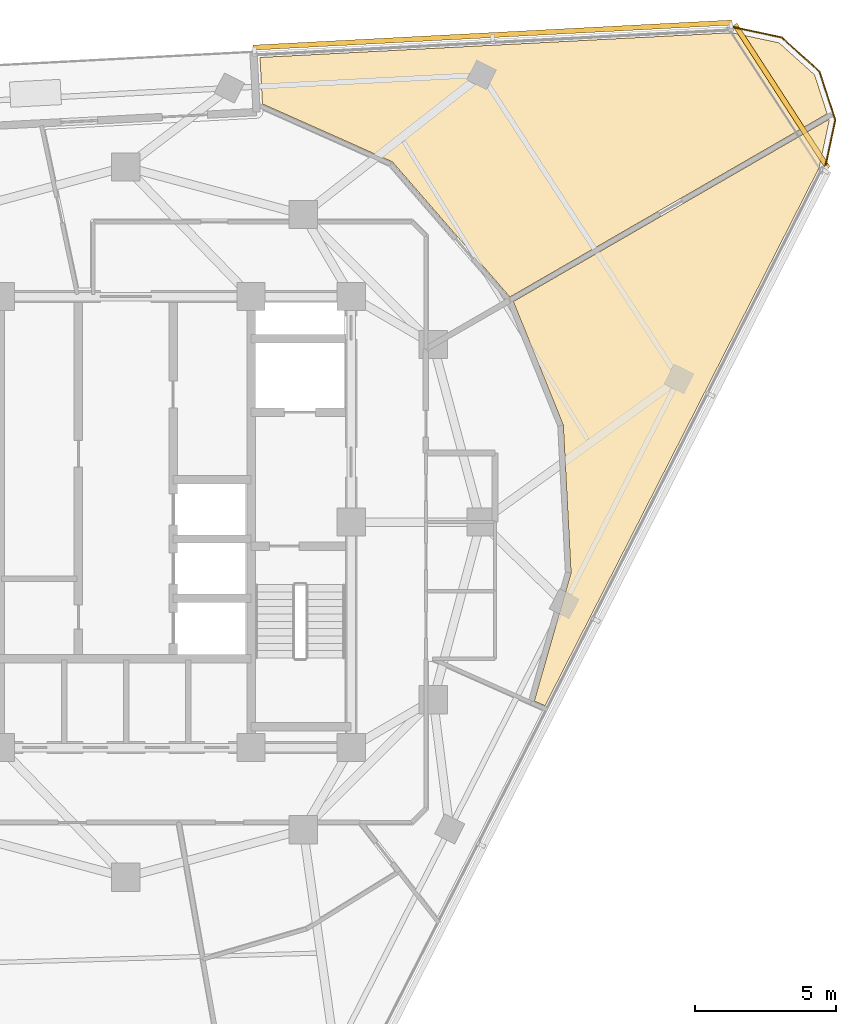
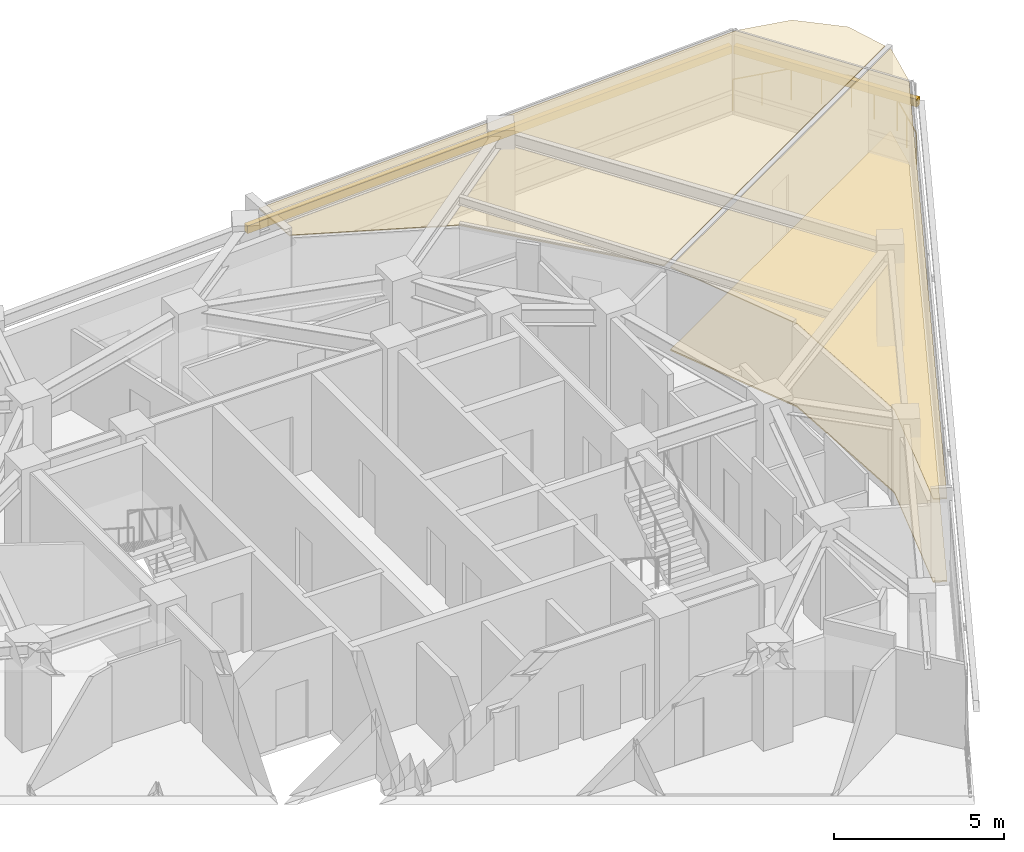
# One storey, part 15 of 15: 3 coverings, 2 shading devices, 1 railing.
"""IFC4 building model written with IfcOpenShell, lengths in metres."""

from ifc_helpers import new_model, si_unit, direction, frame, origin, origin_2d, place, context, subcontext, project, spatial, polyline, rectangle, circle, outline, extrude, material, layer, layer_set, type_object, element, save


model = new_model("IFC4")

# Units and contexts
model_context = context("Model", 3, precision=1e-05, world=origin(), true_north=direction((0.0, 1.0)))
body_context = subcontext(model_context, "Body", "Model", "MODEL_VIEW")
ifc_project = project(units=[si_unit("LENGTHUNIT", "METRE"), si_unit("AREAUNIT", "SQUARE_METRE"), si_unit("VOLUMEUNIT", "CUBIC_METRE"), si_unit("PLANEANGLEUNIT", "RADIAN"), si_unit("MASSUNIT", "GRAM", prefix="KILO")], contexts=[model_context])

# Site, building, storey
site_placement = place(None, origin())
site = spatial("IfcSite", under=ifc_project, at=site_placement, CompositionType="ELEMENT")
building_placement = place(site_placement, origin())
building = spatial("IfcBuilding", under=site, at=building_placement, Name="Terralouvre Media Tower", CompositionType="ELEMENT")
storey_placement = place(building_placement, frame((0.0, 0.0, 270.699951171875)))
storey = spatial("IfcBuildingStorey", under=building, at=storey_placement, Name="L70", CompositionType="ELEMENT", Elevation=270.699951171875)

# Coverings
ifc_material_1 = material(Name="Resilient elastomer acoustic broadcast studio flooring")
ifc_layer_1 = layer(ifc_material_1, 0.050048828125, Name="Broadcast Studio Acoustic Floating Floor FL-AC1")
ifc_layer_set_1 = layer_set([ifc_layer_1], Name="Resilient elastomer acoustic broadcast studio flooring")
covering_type_1 = type_object("IfcCoveringType", Name="Broadcast Studio Acoustic Floating Floor FL-AC1", PredefinedType="FLOORING", material=ifc_layer_set_1)
covering_1_placement = place(storey_placement, frame((0.0, 0.0, 0.0), z_axis=(0.0, 0.0, 1.0), x_axis=(0.45399049974, 0.891006524188, 0.0)))
element("IfcCovering", 1, at=covering_1_placement, inside=storey, type_object=covering_type_1, Name="L70 Preview Screening Cinema 7 Acoustic Floating Floor", PredefinedType="FLOORING", context=body_context, shape_type="SweptSolid", body=[
    extrude(outline(polyline([(10.12548828125, -12.256591796875), (10.117919921875, -12.2646484375), (10.109375, -12.271728515625), (10.10009765625, -12.27783203125), (5.582763671875, -14.8857421875), (5.57275390625, -14.890869140625), (5.5625, -14.894775390625), (5.5517578125, -14.8974609375), (0.927734375, -15.796630859375), (0.949951171875, -16.212646484375), (22.371337890625, -16.212646484375), (24.036376953125, -15.766845703125), (24.0595703125, -15.743408203125), (13.2158203125, -8.701904296875), (10.12548828125, -12.256591796875)])), origin(), (0.0, 0.0, 1.0), 0.050048828125),
])
ifc_material_2 = material(Name="Perforated aluminium acoustic ceiling baffle", Category="aluminium")
ifc_layer_2 = layer(ifc_material_2, 0.0400390625, Name="Perforated Acoustic Metal Tile Ceiling CL-AC1")
ifc_layer_set_2 = layer_set([ifc_layer_2], Name="Perforated aluminium acoustic ceiling baffle")
covering_type_2 = type_object("IfcCoveringType", Name="Perforated Acoustic Metal Tile Ceiling CL-AC1", PredefinedType="CEILING", material=ifc_layer_set_2)
covering_2_placement = place(storey_placement, frame((0.0, 0.0, 2.97998046875), z_axis=(0.0, 0.0, 1.0), x_axis=(0.45399049974, 0.891006524188, 0.0)))
element("IfcCovering", 2, at=covering_2_placement, inside=storey, type_object=covering_type_2, Name="L70 Preview Screening Cinema 7 Acoustic Ceiling", PredefinedType="CEILING", context=body_context, shape_type="SweptSolid", body=[
    extrude(outline(polyline([(10.12548828125, -12.256591796875), (10.117919921875, -12.2646484375), (10.109375, -12.271728515625), (10.10009765625, -12.27783203125), (5.582763671875, -14.8857421875), (5.57275390625, -14.890869140625), (5.5625, -14.894775390625), (5.5517578125, -14.8974609375), (0.927734375, -15.796630859375), (0.949951171875, -16.212646484375), (22.371337890625, -16.212646484375), (24.036376953125, -15.766845703125), (24.0595703125, -15.743408203125), (13.2158203125, -8.701904296875), (10.12548828125, -12.256591796875)])), origin(), (0.0, 0.0, 1.0), 0.0400390625),
])
covering_3_placement = place(storey_placement, frame((0.0, 0.0, 2.97998046875), z_axis=(0.0, 0.0, 1.0), x_axis=(0.45399049974, 0.891006524188, 0.0)))
element("IfcCovering", 3, at=covering_3_placement, inside=storey, type_object=covering_type_2, Name="L70 Creative Set Workshop 8 Acoustic Ceiling", PredefinedType="CEILING", context=body_context, shape_type="SweptSolid", body=[
    extrude(outline(polyline([(24.203857421875, -15.5986328125), (25.234130859375, -14.569091796875), (25.672119140625, -12.9326171875), (25.226318359375, -11.267578125), (16.8505859375, 3.239013671875), (15.420654296875, 2.4130859375), (15.68310546875, -2.602294921875), (15.68310546875, -2.61328125), (15.681884765625, -2.6240234375), (15.679443359375, -2.634765625), (15.676025390625, -2.64501953125), (13.302490234375, -8.519775390625), (24.203857421875, -15.5986328125)])), origin(), (0.0, 0.0, 1.0), 0.0400390625),
])

# Railing
ifc_material_3 = material(Name="Stainless steel 316 handrail and balustrade", Category="steel")
ifc_layer_3 = layer(ifc_material_3, 0.06005859375, Name="Roof Edge Safety Guardrail GR-ROOF1")
ifc_layer_set_3 = layer_set([ifc_layer_3], Name="Stainless steel 316 handrail and balustrade")
railing_type = type_object("IfcRailingType", Name="Roof Edge Safety Guardrail GR-ROOF1", PredefinedType="GUARDRAIL", material=ifc_layer_set_3)
railing_placement = place(storey_placement, frame((24.797607421875, 12.491455078125, 0.0)))
element("IfcRailing", 4, at=railing_placement, inside=storey, type_object=railing_type, Name="L70 Wind-Corner Perimeter Safety Guardrail C1", PredefinedType="GUARDRAIL", context=body_context, shape_type="SweptSolid", body=[
    extrude(circle(Radius=0.02099609375, at=origin_2d()), frame((0.0, 0.0, 1.12890625), z_axis=(0.208129595218, 0.978101258354, 0.0), x_axis=(-0.978101258354, 0.208129595218, 0.0)), (0.0, 0.0, 1.0), 1.81103515625),
    extrude(circle(Radius=0.02099609375, at=origin_2d()), frame((0.376953125, 1.771484375, 1.12890625), z_axis=(-0.308857436997, 0.951108344833, 0.0), x_axis=(-0.951108344833, -0.308857436997, 0.0)), (0.0, 0.0, 1.0), 1.81103515625),
    extrude(circle(Radius=0.02099609375, at=origin_2d()), frame((-0.182373046875, 3.493896484375, 1.12890625), z_axis=(-0.743274034333, 0.668987077518, 0.0), x_axis=(-0.668987077518, -0.743274034333, 0.0)), (0.0, 0.0, 1.0), 1.810791015625),
    extrude(circle(Radius=0.02099609375, at=origin_2d()), frame((-1.5283203125, 4.705322265625, 1.12890625), z_axis=(-0.97818932942, 0.207715275821, 0.0), x_axis=(-0.207715275821, -0.97818932942, 0.0)), (0.0, 0.0, 1.0), 1.811279296875),
    extrude(circle(Radius=0.01904296875, at=origin_2d()), origin(), (0.0, 0.0, 1.0), 1.10791015625),
    extrude(circle(Radius=0.01904296875, at=origin_2d()), frame((0.1884765625, 0.8857421875, 0.0)), (0.0, 0.0, 1.0), 1.10791015625),
    extrude(circle(Radius=0.01904296875, at=origin_2d()), frame((0.376953125, 1.771484375, 0.0)), (0.0, 0.0, 1.0), 1.10791015625),
    extrude(circle(Radius=0.01904296875, at=origin_2d()), frame((0.09716796875, 2.6328125, 0.0)), (0.0, 0.0, 1.0), 1.10791015625),
    extrude(circle(Radius=0.01904296875, at=origin_2d()), frame((-0.182373046875, 3.493896484375, 0.0)), (0.0, 0.0, 1.0), 1.10791015625),
    extrude(circle(Radius=0.01904296875, at=origin_2d()), frame((-0.85546875, 4.099609375, 0.0)), (0.0, 0.0, 1.0), 1.10791015625),
    extrude(circle(Radius=0.01904296875, at=origin_2d()), frame((-1.5283203125, 4.705322265625, 0.0)), (0.0, 0.0, 1.0), 1.10791015625),
    extrude(circle(Radius=0.01904296875, at=origin_2d()), frame((-2.4140625, 4.8935546875, 0.0)), (0.0, 0.0, 1.0), 1.10791015625),
    extrude(circle(Radius=0.01904296875, at=origin_2d()), frame((-3.300048828125, 5.08154296875, 0.0)), (0.0, 0.0, 1.0), 1.10791015625),
])

# Shading devices
ifc_material_4 = material(Name="Extruded terracotta baguette sunshade louvres", Category="masonry")
shading_device_type = type_object("IfcShadingDeviceType", Name="Terracotta Baguette Sunshade Louvre Screen TB-LV1", PredefinedType="USERDEFINED", material=ifc_material_4)
shading_device_1_placement = place(storey_placement, frame((13.013671875, 17.27734375, 2.02392578125), z_axis=(0.0, 0.0, 1.0), x_axis=(-0.998629509147, -0.052336444858, 0.0)))
element("IfcShadingDevice", 5, at=shading_device_1_placement, inside=storey, type_object=shading_device_type, Name="CW-L70-F1L Terracotta Baguette Sunshade Louvre", ObjectType="BAGUETTE", PredefinedType="USERDEFINED", context=body_context, shape_type="SweptSolid", body=[
    extrude(rectangle(XDim=17.0, YDim=0.179931640625, at=origin_2d()), origin(), (0.0, 0.0, 1.0), 0.280029296875),
])
shading_device_2_placement = place(storey_placement, frame((23.2607421875, 15.105712890625, 2.02392578125), z_axis=(0.0, 0.0, 1.0), x_axis=(-0.544639197097, 0.838670462688, 0.0)))
element("IfcShadingDevice", 6, at=shading_device_2_placement, inside=storey, type_object=shading_device_type, Name="CW-L70-C1 Terracotta Baguette Sunshade Louvre", ObjectType="BAGUETTE", PredefinedType="USERDEFINED", context=body_context, shape_type="SweptSolid", body=[
    extrude(rectangle(XDim=6.062255859375, YDim=0.179931640625, at=origin_2d()), origin(), (0.0, 0.0, 1.0), 0.280029296875),
])

save(model, "model.ifc")
